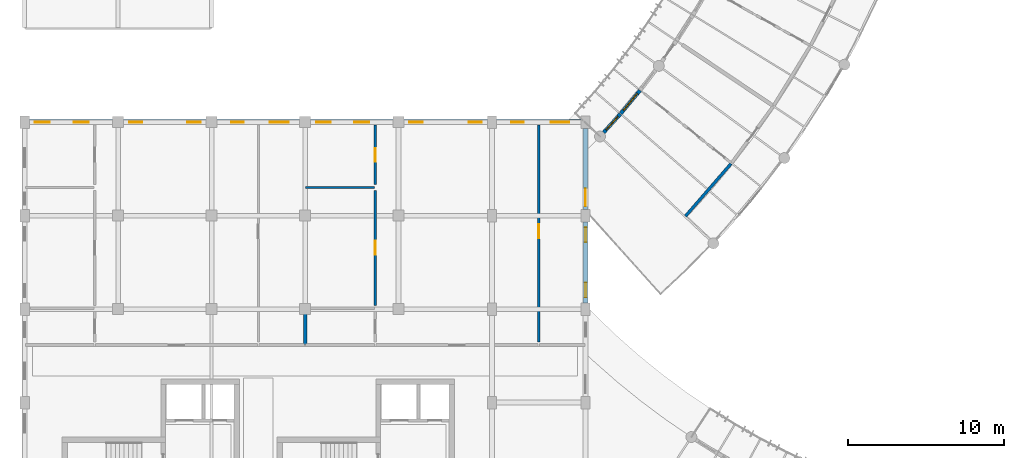
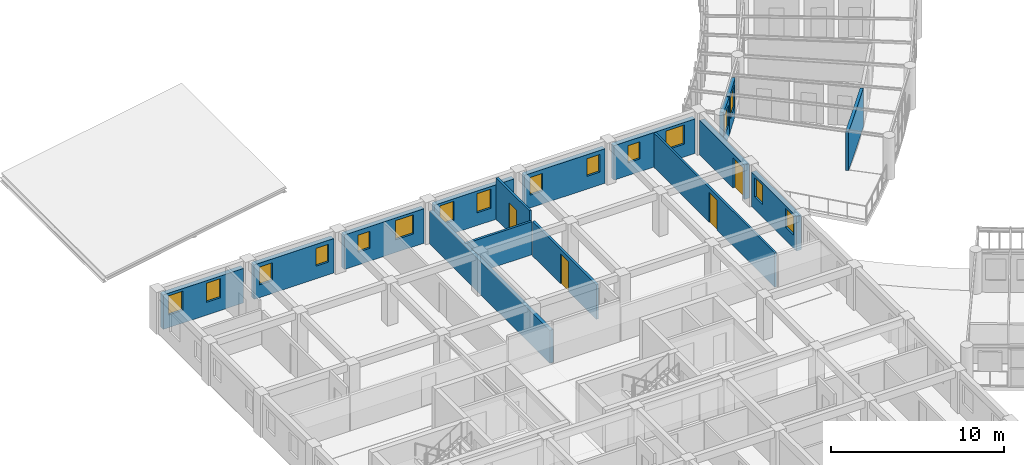
# One storey, part 91 of 137: 16 walls, 16 windows, 4 doors, 20 openings.
"""IFC4 building model written with IfcOpenShell, lengths in metres."""

from ifc_helpers import new_model, si_unit, direction, frame, frame_2d, origin, place, context, subcontext, project, spatial, rectangle, extrude, material, layer, layer_set, type_object, element, fill, save


model = new_model("IFC4")

# Units and contexts
model_context = context("Model", 3, precision=1e-05, world=origin(), true_north=direction((0.0, 1.0)))
body_context = subcontext(model_context, "Body", "Model", "MODEL_VIEW")
ifc_project = project(units=[si_unit("LENGTHUNIT", "METRE"), si_unit("AREAUNIT", "SQUARE_METRE"), si_unit("VOLUMEUNIT", "CUBIC_METRE"), si_unit("PLANEANGLEUNIT", "RADIAN"), si_unit("MASSUNIT", "GRAM", prefix="KILO"), si_unit("POWERUNIT", "WATT"), si_unit("THERMODYNAMICTEMPERATUREUNIT", "KELVIN")], contexts=[model_context])

# Site, building, storey
site_placement = place(None, origin())
site = spatial("IfcSite", under=ifc_project, at=site_placement, CompositionType="ELEMENT")
building_placement = place(site_placement, origin())
building = spatial("IfcBuilding", under=site, at=building_placement, Name="Ruvembo Vaulted Housing Court", CompositionType="ELEMENT")
storey_placement = place(building_placement, frame((0.0, 0.0, 4.5)))
storey = spatial("IfcBuildingStorey", under=building, at=storey_placement, Name="L01", CompositionType="ELEMENT", Elevation=4.5)

# Walls
ifc_material_1 = material(Name="Concrete Blockwork 190", Category="masonry")
ifc_layer_1 = layer(ifc_material_1, 0.18994140625, Name="Concrete Blockwork 190")
ifc_layer_set_1 = layer_set([ifc_layer_1], Name="Concrete Blockwork 190")
wall_type_1 = type_object("IfcWallType", Name="WL-CORR-190", PredefinedType="SOLIDWALL", material=ifc_layer_set_1)
wall_1_placement = place(storey_placement, frame((42.414794921875, 35.964111328125, 0.0), z_axis=(0.0, 0.0, 1.0), x_axis=(0.655477564809, 0.755214646331, 0.0)))
element("IfcWall", 1, at=wall_1_placement, inside=storey, type_object=wall_type_1, Name="L01 Suite SC1-L01-U1 Gallery Wall WL-INT-L01-00370", PredefinedType="SOLIDWALL", context=body_context, shape_type="SweptSolid", body=[
    extrude(rectangle(XDim=4.46728515625, YDim=0.18994140625, at=frame_2d((2.233642578125, 0.0))), origin(), (0.0, 0.0, 1.0), 2.741943359375),
])
ifc_material_2 = material(Name="Acoustic Masonry Demising 230", Category="masonry")
ifc_layer_2 = layer(ifc_material_2, 0.22998046875, Name="Acoustic Masonry Demising 230")
ifc_layer_set_2 = layer_set([ifc_layer_2], Name="Acoustic Masonry Demising 230")
wall_type_2 = type_object("IfcWallType", Name="WL-DEM-230", PredefinedType="SOLIDWALL", material=ifc_layer_set_2)
wall_2_placement = place(storey_placement, frame((18.0, 27.739990234375, 0.0), z_axis=(0.0, 0.0, 1.0), x_axis=(0.0, 1.0, 0.0)))
element("IfcWall", 2, at=wall_2_placement, inside=storey, type_object=wall_type_2, Name="L01 Demising A-L01-N1 WL-INT-L01-00207", PredefinedType="SOLIDWALL", context=body_context, shape_type="SweptSolid", body=[
    extrude(rectangle(XDim=13.8701171875, YDim=0.22998046875, at=frame_2d((6.93505859375, 0.0))), origin(), (0.0, 0.0, 1.0), 2.326904296875),
])

# Wall, opening, window
ifc_material_3 = material(Name="Rendered Masonry 235", Category="masonry")
ifc_layer_3 = layer(ifc_material_3, 0.235107421875, Name="Rendered Masonry 235")
ifc_layer_set_3 = layer_set([ifc_layer_3], Name="Rendered Masonry 235")
wall_type_3 = type_object("IfcWallType", Name="WL-EXT-235", PredefinedType="STANDARD", material=ifc_layer_set_3)
wall_3_placement = place(storey_placement, frame((37.165283203125, 41.337646484375, 0.0), z_axis=(0.0, 0.0, 1.0), x_axis=(0.670829255746, 0.741611832184, 0.0)))
wall_3 = element("IfcWall", 3, at=wall_3_placement, inside=storey, type_object=wall_type_3, Name="Scoop SC1 L01 Concave Balcony Wall 0", PredefinedType="STANDARD", context=body_context, shape_type="SweptSolid", body=[
    extrude(rectangle(XDim=1.596923828125, YDim=0.235107421875, at=frame_2d((0.79833984375, 0.0))), origin(), (0.0, 0.0, 1.0), 2.68408203125),
])
opening_1_placement = place(wall_3_placement, frame((0.223388671875, 0.0, 0.85009765625)))
opening_1 = element("IfcOpeningElement", 4, at=opening_1_placement, cuts=wall_3, Name="Opening W11", PredefinedType="OPENING", context=body_context, shape_type="SweptSolid", body=[
    extrude(rectangle(XDim=1.14990234375, YDim=1.449951171875, at=frame_2d((0.574951171875, 0.72509765625))), frame((0.0, 0.12744140625, 0.0), z_axis=(0.0, -1.0, 0.0), x_axis=(1.0, 0.0, 0.0)), (0.0, 0.0, 1.0), 0.255126953125),
])
ifc_material_4 = material(Name="Double Solar-Control Glazing in Aluminium Frame", Category="aluminium")
window_type_1 = type_object("IfcWindowType", Name="WIN-1150x1450", PartitioningType="SINGLE_PANEL", PredefinedType="WINDOW", material=ifc_material_4)
window_1_placement = place(opening_1_placement, origin())
window_1 = element("IfcWindow", 5, at=window_1_placement, inside=storey, type_object=window_type_1, Name="Scoop SC1 L01 Concave Window 0", OverallHeight=1.449951171875, OverallWidth=1.14990234375, PartitioningType="SINGLE_PANEL", PredefinedType="WINDOW", context=body_context, shape_type="SweptSolid", body=[
    extrude(rectangle(XDim=1.14990234375, YDim=1.449951171875, at=frame_2d((0.574951171875, 0.72509765625))), frame((0.0, 0.030029296875, 0.0), z_axis=(0.0, -1.0, 0.0), x_axis=(1.0, 0.0, 0.0)), (0.0, 0.0, 1.0), 0.06005859375),
])
fill(opening_1, window_1)

wall_4_placement = place(storey_placement, frame((38.2626953125, 42.552001953125, 0.0), z_axis=(0.0, 0.0, 1.0), x_axis=(0.639872771242, 0.768480862887, 0.0)))
wall_4 = element("IfcWall", 6, at=wall_4_placement, inside=storey, type_object=wall_type_3, Name="Scoop SC1 L01 Concave Balcony Wall 1", PredefinedType="STANDARD", context=body_context, shape_type="SweptSolid", body=[
    extrude(rectangle(XDim=1.9267578125, YDim=0.235107421875, at=frame_2d((0.96337890625, 0.0))), origin(), (0.0, 0.0, 1.0), 2.68408203125),
])
opening_2_placement = place(wall_4_placement, frame((0.263427734375, 0.0, 0.85009765625)))
opening_2 = element("IfcOpeningElement", 7, at=opening_2_placement, cuts=wall_4, Name="Opening W17", PredefinedType="OPENING", context=body_context, shape_type="SweptSolid", body=[
    extrude(rectangle(XDim=1.39990234375, YDim=1.5, at=frame_2d((0.699951171875, 0.75))), frame((0.0, 0.12744140625, 0.0), z_axis=(0.0, -1.0, 0.0), x_axis=(1.0, 0.0, 0.0)), (0.0, 0.0, 1.0), 0.255126953125),
])
window_type_2 = type_object("IfcWindowType", Name="WIN-1400x1500", PartitioningType="SINGLE_PANEL", PredefinedType="WINDOW", material=ifc_material_4)
window_2_placement = place(opening_2_placement, origin())
window_2 = element("IfcWindow", 8, at=window_2_placement, inside=storey, type_object=window_type_2, Name="Scoop SC1 L01 Concave Window 1", OverallHeight=1.5, OverallWidth=1.39990234375, PartitioningType="SINGLE_PANEL", PredefinedType="WINDOW", context=body_context, shape_type="SweptSolid", body=[
    extrude(rectangle(XDim=1.39990234375, YDim=1.5, at=frame_2d((0.699951171875, 0.75))), frame((0.0, 0.030029296875, 0.0), z_axis=(0.0, -1.0, 0.0), x_axis=(1.0, 0.0, 0.0)), (0.0, 0.0, 1.0), 0.06005859375),
])
fill(opening_2, window_2)

# Wall, openings, windows
ifc_material_5 = material(Name="Rendered Masonry 320", Category="masonry")
ifc_layer_4 = layer(ifc_material_5, 0.320068359375, Name="Rendered Masonry 320")
ifc_layer_set_4 = layer_set([ifc_layer_4], Name="Rendered Masonry 320")
wall_type_4 = type_object("IfcWallType", Name="WL-EXT-320", PredefinedType="STANDARD", material=ifc_layer_set_4)
wall_5_placement = place(storey_placement, frame((36.0, 30.39990234375, 0.0), z_axis=(0.0, 0.0, 1.0), x_axis=(0.0, 1.0, 0.0)))
wall_5 = element("IfcWall", 9, at=wall_5_placement, inside=storey, type_object=wall_type_4, Name="Block A L01 Exterior Wall EAST #5", PredefinedType="STANDARD", context=body_context, shape_type="SweptSolid", body=[
    extrude(rectangle(XDim=5.2001953125, YDim=0.320068359375, at=frame_2d((2.60009765625, 0.0))), origin(), (0.0, 0.0, 1.0), 2.427001953125),
])
opening_3_placement = place(wall_5_placement, frame((0.35009765625, 0.0, 0.89990234375)))
opening_3 = element("IfcOpeningElement", 10, at=opening_3_placement, cuts=wall_5, Name="Opening W07", PredefinedType="OPENING", context=body_context, shape_type="SweptSolid", body=[
    extrude(rectangle(XDim=0.949951171875, YDim=1.35009765625, at=frame_2d((0.47509765625, 0.675048828125))), frame((0.0, 0.169921875, 0.0), z_axis=(0.0, -1.0, 0.0), x_axis=(1.0, 0.0, 0.0)), (0.0, 0.0, 1.0), 0.340087890625),
])
opening_4_placement = place(wall_5_placement, frame((3.89990234375, 0.0, 0.89990234375)))
opening_4 = element("IfcOpeningElement", 11, at=opening_4_placement, cuts=wall_5, Name="Opening W07", PredefinedType="OPENING", context=body_context, shape_type="SweptSolid", body=[
    extrude(rectangle(XDim=0.949951171875, YDim=1.35009765625, at=frame_2d((0.47509765625, 0.675048828125))), frame((0.0, 0.169921875, 0.0), z_axis=(0.0, -1.0, 0.0), x_axis=(1.0, 0.0, 0.0)), (0.0, 0.0, 1.0), 0.340087890625),
])
window_type_3 = type_object("IfcWindowType", Name="WIN-0950x1350", PartitioningType="SINGLE_PANEL", PredefinedType="WINDOW", material=ifc_material_4)
window_3_placement = place(opening_3_placement, origin())
window_3 = element("IfcWindow", 12, at=window_3_placement, inside=storey, type_object=window_type_3, Name="Block A L01 Window #57", OverallHeight=1.35009765625, OverallWidth=0.949951171875, PartitioningType="SINGLE_PANEL", PredefinedType="WINDOW", context=body_context, shape_type="SweptSolid", body=[
    extrude(rectangle(XDim=0.949951171875, YDim=1.35009765625, at=frame_2d((0.47509765625, 0.675048828125))), frame((0.0, 0.030029296875, 0.0), z_axis=(0.0, -1.0, 0.0), x_axis=(1.0, 0.0, 0.0)), (0.0, 0.0, 1.0), 0.06005859375),
])
fill(opening_3, window_3)
window_4_placement = place(opening_4_placement, origin())
window_4 = element("IfcWindow", 13, at=window_4_placement, inside=storey, type_object=window_type_3, Name="Block A L01 Window #58", OverallHeight=1.35009765625, OverallWidth=0.949951171875, PartitioningType="SINGLE_PANEL", PredefinedType="WINDOW", context=body_context, shape_type="SweptSolid", body=[
    extrude(rectangle(XDim=0.949951171875, YDim=1.35009765625, at=frame_2d((0.47509765625, 0.675048828125))), frame((0.0, 0.030029296875, 0.0), z_axis=(0.0, -1.0, 0.0), x_axis=(1.0, 0.0, 0.0)), (0.0, 0.0, 1.0), 0.06005859375),
])
fill(opening_4, window_4)

# Wall, opening, door
wall_6_placement = place(storey_placement, frame((36.0, 36.39990234375, 0.0), z_axis=(0.0, 0.0, 1.0), x_axis=(0.0, 1.0, 0.0)))
wall_6 = element("IfcWall", 14, at=wall_6_placement, inside=storey, type_object=wall_type_4, Name="Block A L01 Exterior Wall EAST #6", PredefinedType="STANDARD", context=body_context, shape_type="SweptSolid", body=[
    extrude(rectangle(XDim=5.2001953125, YDim=0.320068359375, at=frame_2d((2.60009765625, 0.0))), origin(), (0.0, 0.0, 1.0), 2.427001953125),
])
opening_5_placement = place(wall_6_placement, frame((0.199951171875, 0.0, 0.0)))
opening_5 = element("IfcOpeningElement", 15, at=opening_5_placement, cuts=wall_6, Name="Opening GD1", PredefinedType="OPENING", context=body_context, shape_type="SweptSolid", body=[
    extrude(rectangle(XDim=1.14990234375, YDim=2.14990234375, at=frame_2d((0.574951171875, 1.074951171875))), frame((0.0, 0.169921875, 0.0), z_axis=(0.0, -1.0, 0.0), x_axis=(1.0, 0.0, 0.0)), (0.0, 0.0, 1.0), 0.340087890625),
])
ifc_material_6 = material(Name="Thermally Broken Glazed Aluminium", Category="aluminium")
door_type_1 = type_object("IfcDoorType", Name="DR-GAL-1150x2150", OperationType="NOTDEFINED", PredefinedType="DOOR", material=ifc_material_6)
door_1_placement = place(opening_5_placement, frame((1.14990234375, 0.0, 0.0), z_axis=(0.0, 0.0, 1.0), x_axis=(-1.0, 0.0, 0.0)))
door_1 = element("IfcDoor", 16, at=door_1_placement, inside=storey, type_object=door_type_1, Name="Block A L01 Terrace or Gallery Door DR-TER-A-L01-006", OperationType="SINGLE_SWING_LEFT", OverallHeight=2.14990234375, OverallWidth=1.14990234375, PredefinedType="DOOR", context=body_context, shape_type="SweptSolid", body=[
    extrude(rectangle(XDim=1.14990234375, YDim=2.14990234375, at=frame_2d((0.574951171875, 1.074951171875))), frame((0.0, 0.02490234375, 0.0), z_axis=(0.0, -1.0, 0.0), x_axis=(1.0, 0.0, 0.0)), (0.0, 0.0, 1.0), 0.050048828125),
])
fill(opening_5, door_1)

# Wall, openings, windows
wall_7_placement = place(storey_placement, frame((35.699951171875, 42.0, 0.0), z_axis=(0.0, 0.0, 1.0), x_axis=(-1.0, 0.0, 0.0)))
wall_7 = element("IfcWall", 17, at=wall_7_placement, inside=storey, type_object=wall_type_4, Name="Block A L01 Exterior Wall COURTYARD #1", PredefinedType="STANDARD", context=body_context, shape_type="SweptSolid", body=[
    extrude(rectangle(XDim=5.39990234375, YDim=0.320068359375, at=frame_2d((2.699951171875, 0.0))), origin(), (0.0, 0.0, 1.0), 2.427001953125),
])
opening_6_placement = place(wall_7_placement, frame((0.72998046875, 0.0, 0.89990234375)))
opening_6 = element("IfcOpeningElement", 18, at=opening_6_placement, cuts=wall_7, Name="Opening W12", PredefinedType="OPENING", context=body_context, shape_type="SweptSolid", body=[
    extrude(rectangle(XDim=1.199951171875, YDim=1.35009765625, at=frame_2d((0.60009765625, 0.675048828125))), frame((0.0, 0.169921875, 0.0), z_axis=(0.0, -1.0, 0.0), x_axis=(1.0, 0.0, 0.0)), (0.0, 0.0, 1.0), 0.340087890625),
])
opening_7_placement = place(wall_7_placement, frame((3.669921875, 0.0, 0.89990234375)))
opening_7 = element("IfcOpeningElement", 19, at=opening_7_placement, cuts=wall_7, Name="Opening W02", PredefinedType="OPENING", context=body_context, shape_type="SweptSolid", body=[
    extrude(rectangle(XDim=0.800048828125, YDim=1.199951171875, at=frame_2d((0.39990234375, 0.60009765625))), frame((0.0, 0.169921875, 0.0), z_axis=(0.0, -1.0, 0.0), x_axis=(1.0, 0.0, 0.0)), (0.0, 0.0, 1.0), 0.340087890625),
])
window_type_4 = type_object("IfcWindowType", Name="WIN-0800x1200", PartitioningType="SINGLE_PANEL", PredefinedType="WINDOW", material=ifc_material_4)
window_5_placement = place(opening_7_placement, origin())
window_5 = element("IfcWindow", 20, at=window_5_placement, inside=storey, type_object=window_type_4, Name="Block A L01 Window #60", OverallHeight=1.199951171875, OverallWidth=0.800048828125, PartitioningType="SINGLE_PANEL", PredefinedType="WINDOW", context=body_context, shape_type="SweptSolid", body=[
    extrude(rectangle(XDim=0.800048828125, YDim=1.199951171875, at=frame_2d((0.39990234375, 0.60009765625))), frame((0.0, 0.030029296875, 0.0), z_axis=(0.0, -1.0, 0.0), x_axis=(1.0, 0.0, 0.0)), (0.0, 0.0, 1.0), 0.06005859375),
])
fill(opening_7, window_5)
window_type_5 = type_object("IfcWindowType", Name="WIN-1200x1350", PartitioningType="SINGLE_PANEL", PredefinedType="WINDOW", material=ifc_material_4)
window_6_placement = place(opening_6_placement, origin())
window_6 = element("IfcWindow", 21, at=window_6_placement, inside=storey, type_object=window_type_5, Name="Block A L01 Window #59", OverallHeight=1.35009765625, OverallWidth=1.199951171875, PartitioningType="SINGLE_PANEL", PredefinedType="WINDOW", context=body_context, shape_type="SweptSolid", body=[
    extrude(rectangle(XDim=1.199951171875, YDim=1.35009765625, at=frame_2d((0.60009765625, 0.675048828125))), frame((0.0, 0.030029296875, 0.0), z_axis=(0.0, -1.0, 0.0), x_axis=(1.0, 0.0, 0.0)), (0.0, 0.0, 1.0), 0.06005859375),
])
fill(opening_6, window_6)

wall_8_placement = place(storey_placement, frame((29.699951171875, 42.0, 0.0), z_axis=(0.0, 0.0, 1.0), x_axis=(-1.0, 0.0, 0.0)))
wall_8 = element("IfcWall", 22, at=wall_8_placement, inside=storey, type_object=wall_type_4, Name="Block A L01 Exterior Wall COURTYARD #2", PredefinedType="STANDARD", context=body_context, shape_type="SweptSolid", body=[
    extrude(rectangle(XDim=5.349853515625, YDim=0.320068359375, at=frame_2d((2.6748046875, 0.0))), origin(), (0.0, 0.0, 1.0), 2.427001953125),
])
opening_8_placement = place(wall_8_placement, frame((0.35009765625, 0.0, 0.89990234375)))
opening_8 = element("IfcOpeningElement", 23, at=opening_8_placement, cuts=wall_8, Name="Opening W03", PredefinedType="OPENING", context=body_context, shape_type="SweptSolid", body=[
    extrude(rectangle(XDim=0.85009765625, YDim=1.25, at=frame_2d((0.425048828125, 0.625))), frame((0.0, 0.169921875, 0.0), z_axis=(0.0, -1.0, 0.0), x_axis=(1.0, 0.0, 0.0)), (0.0, 0.0, 1.0), 0.340087890625),
])
opening_9_placement = place(wall_8_placement, frame((4.14990234375, 0.0, 0.89990234375)))
opening_9 = element("IfcOpeningElement", 24, at=opening_9_placement, cuts=wall_8, Name="Opening W03", PredefinedType="OPENING", context=body_context, shape_type="SweptSolid", body=[
    extrude(rectangle(XDim=0.85009765625, YDim=1.25, at=frame_2d((0.425048828125, 0.625))), frame((0.0, 0.169921875, 0.0), z_axis=(0.0, -1.0, 0.0), x_axis=(1.0, 0.0, 0.0)), (0.0, 0.0, 1.0), 0.340087890625),
])
window_type_6 = type_object("IfcWindowType", Name="WIN-0850x1250", PartitioningType="SINGLE_PANEL", PredefinedType="WINDOW", material=ifc_material_4)
window_7_placement = place(opening_8_placement, origin())
window_7 = element("IfcWindow", 25, at=window_7_placement, inside=storey, type_object=window_type_6, Name="Block A L01 Window #61", OverallHeight=1.25, OverallWidth=0.85009765625, PartitioningType="SINGLE_PANEL", PredefinedType="WINDOW", context=body_context, shape_type="SweptSolid", body=[
    extrude(rectangle(XDim=0.85009765625, YDim=1.25, at=frame_2d((0.425048828125, 0.625))), frame((0.0, 0.030029296875, 0.0), z_axis=(0.0, -1.0, 0.0), x_axis=(1.0, 0.0, 0.0)), (0.0, 0.0, 1.0), 0.06005859375),
])
fill(opening_8, window_7)
window_8_placement = place(opening_9_placement, origin())
window_8 = element("IfcWindow", 26, at=window_8_placement, inside=storey, type_object=window_type_6, Name="Block A L01 Window #62", OverallHeight=1.25, OverallWidth=0.85009765625, PartitioningType="SINGLE_PANEL", PredefinedType="WINDOW", context=body_context, shape_type="SweptSolid", body=[
    extrude(rectangle(XDim=0.85009765625, YDim=1.25, at=frame_2d((0.425048828125, 0.625))), frame((0.0, 0.030029296875, 0.0), z_axis=(0.0, -1.0, 0.0), x_axis=(1.0, 0.0, 0.0)), (0.0, 0.0, 1.0), 0.06005859375),
])
fill(opening_9, window_8)

wall_9_placement = place(storey_placement, frame((23.64990234375, 42.0, 0.0), z_axis=(0.0, 0.0, 1.0), x_axis=(-1.0, 0.0, 0.0)))
wall_9 = element("IfcWall", 27, at=wall_9_placement, inside=storey, type_object=wall_type_4, Name="Block A L01 Exterior Wall COURTYARD #3", PredefinedType="STANDARD", context=body_context, shape_type="SweptSolid", body=[
    extrude(rectangle(XDim=5.2998046875, YDim=0.320068359375, at=frame_2d((2.64990234375, 0.0))), origin(), (0.0, 0.0, 1.0), 2.427001953125),
])
opening_10_placement = place(wall_9_placement, frame((1.5400390625, 0.0, 0.89990234375)))
opening_10 = element("IfcOpeningElement", 28, at=opening_10_placement, cuts=wall_9, Name="Opening W07", PredefinedType="OPENING", context=body_context, shape_type="SweptSolid", body=[
    extrude(rectangle(XDim=0.949951171875, YDim=1.35009765625, at=frame_2d((0.47509765625, 0.675048828125))), frame((0.0, 0.169921875, 0.0), z_axis=(0.0, -1.0, 0.0), x_axis=(1.0, 0.0, 0.0)), (0.0, 0.0, 1.0), 0.340087890625),
])
opening_11_placement = place(wall_9_placement, frame((4.0, 0.0, 0.89990234375)))
opening_11 = element("IfcOpeningElement", 29, at=opening_11_placement, cuts=wall_9, Name="Opening W07", PredefinedType="OPENING", context=body_context, shape_type="SweptSolid", body=[
    extrude(rectangle(XDim=0.949951171875, YDim=1.35009765625, at=frame_2d((0.47509765625, 0.675048828125))), frame((0.0, 0.169921875, 0.0), z_axis=(0.0, -1.0, 0.0), x_axis=(1.0, 0.0, 0.0)), (0.0, 0.0, 1.0), 0.340087890625),
])
window_9_placement = place(opening_10_placement, origin())
window_9 = element("IfcWindow", 30, at=window_9_placement, inside=storey, type_object=window_type_3, Name="Block A L01 Window #63", OverallHeight=1.35009765625, OverallWidth=0.949951171875, PartitioningType="SINGLE_PANEL", PredefinedType="WINDOW", context=body_context, shape_type="SweptSolid", body=[
    extrude(rectangle(XDim=0.949951171875, YDim=1.35009765625, at=frame_2d((0.47509765625, 0.675048828125))), frame((0.0, 0.030029296875, 0.0), z_axis=(0.0, -1.0, 0.0), x_axis=(1.0, 0.0, 0.0)), (0.0, 0.0, 1.0), 0.06005859375),
])
fill(opening_10, window_9)
window_10_placement = place(opening_11_placement, origin())
window_10 = element("IfcWindow", 31, at=window_10_placement, inside=storey, type_object=window_type_3, Name="Block A L01 Window #64", OverallHeight=1.35009765625, OverallWidth=0.949951171875, PartitioningType="SINGLE_PANEL", PredefinedType="WINDOW", context=body_context, shape_type="SweptSolid", body=[
    extrude(rectangle(XDim=0.949951171875, YDim=1.35009765625, at=frame_2d((0.47509765625, 0.675048828125))), frame((0.0, 0.030029296875, 0.0), z_axis=(0.0, -1.0, 0.0), x_axis=(1.0, 0.0, 0.0)), (0.0, 0.0, 1.0), 0.06005859375),
])
fill(opening_11, window_10)

wall_10_placement = place(storey_placement, frame((17.64990234375, 42.0, 0.0), z_axis=(0.0, 0.0, 1.0), x_axis=(-1.0, 0.0, 0.0)))
wall_10 = element("IfcWall", 32, at=wall_10_placement, inside=storey, type_object=wall_type_4, Name="Block A L01 Exterior Wall COURTYARD #4", PredefinedType="STANDARD", context=body_context, shape_type="SweptSolid", body=[
    extrude(rectangle(XDim=5.2998046875, YDim=0.320068359375, at=frame_2d((2.64990234375, 0.0))), origin(), (0.0, 0.0, 1.0), 2.427001953125),
])
opening_12_placement = place(wall_10_placement, frame((0.705078125, 0.0, 0.89990234375)))
opening_12 = element("IfcOpeningElement", 33, at=opening_12_placement, cuts=wall_10, Name="Opening W12", PredefinedType="OPENING", context=body_context, shape_type="SweptSolid", body=[
    extrude(rectangle(XDim=1.199951171875, YDim=1.35009765625, at=frame_2d((0.60009765625, 0.675048828125))), frame((0.0, 0.169921875, 0.0), z_axis=(0.0, -1.0, 0.0), x_axis=(1.0, 0.0, 0.0)), (0.0, 0.0, 1.0), 0.340087890625),
])
opening_13_placement = place(wall_10_placement, frame((3.594970703125, 0.0, 0.89990234375)))
opening_13 = element("IfcOpeningElement", 34, at=opening_13_placement, cuts=wall_10, Name="Opening W02", PredefinedType="OPENING", context=body_context, shape_type="SweptSolid", body=[
    extrude(rectangle(XDim=0.800048828125, YDim=1.199951171875, at=frame_2d((0.39990234375, 0.60009765625))), frame((0.0, 0.169921875, 0.0), z_axis=(0.0, -1.0, 0.0), x_axis=(1.0, 0.0, 0.0)), (0.0, 0.0, 1.0), 0.340087890625),
])
window_11_placement = place(opening_13_placement, origin())
window_11 = element("IfcWindow", 35, at=window_11_placement, inside=storey, type_object=window_type_4, Name="Block A L01 Window #66", OverallHeight=1.199951171875, OverallWidth=0.800048828125, PartitioningType="SINGLE_PANEL", PredefinedType="WINDOW", context=body_context, shape_type="SweptSolid", body=[
    extrude(rectangle(XDim=0.800048828125, YDim=1.199951171875, at=frame_2d((0.39990234375, 0.60009765625))), frame((0.0, 0.030029296875, 0.0), z_axis=(0.0, -1.0, 0.0), x_axis=(1.0, 0.0, 0.0)), (0.0, 0.0, 1.0), 0.06005859375),
])
fill(opening_13, window_11)
window_12_placement = place(opening_12_placement, origin())
window_12 = element("IfcWindow", 36, at=window_12_placement, inside=storey, type_object=window_type_5, Name="Block A L01 Window #65", OverallHeight=1.35009765625, OverallWidth=1.199951171875, PartitioningType="SINGLE_PANEL", PredefinedType="WINDOW", context=body_context, shape_type="SweptSolid", body=[
    extrude(rectangle(XDim=1.199951171875, YDim=1.35009765625, at=frame_2d((0.60009765625, 0.675048828125))), frame((0.0, 0.030029296875, 0.0), z_axis=(0.0, -1.0, 0.0), x_axis=(1.0, 0.0, 0.0)), (0.0, 0.0, 1.0), 0.06005859375),
])
fill(opening_12, window_12)

wall_11_placement = place(storey_placement, frame((11.64990234375, 42.0, 0.0), z_axis=(0.0, 0.0, 1.0), x_axis=(-1.0, 0.0, 0.0)))
wall_11 = element("IfcWall", 37, at=wall_11_placement, inside=storey, type_object=wall_type_4, Name="Block A L01 Exterior Wall COURTYARD #5", PredefinedType="STANDARD", context=body_context, shape_type="SweptSolid", body=[
    extrude(rectangle(XDim=5.2998046875, YDim=0.320068359375, at=frame_2d((2.64990234375, 0.0))), origin(), (0.0, 0.0, 1.0), 2.427001953125),
])
opening_14_placement = place(wall_11_placement, frame((0.35009765625, 0.0, 0.89990234375)))
opening_14 = element("IfcOpeningElement", 38, at=opening_14_placement, cuts=wall_11, Name="Opening W03", PredefinedType="OPENING", context=body_context, shape_type="SweptSolid", body=[
    extrude(rectangle(XDim=0.85009765625, YDim=1.25, at=frame_2d((0.425048828125, 0.625))), frame((0.0, 0.169921875, 0.0), z_axis=(0.0, -1.0, 0.0), x_axis=(1.0, 0.0, 0.0)), (0.0, 0.0, 1.0), 0.340087890625),
])
opening_15_placement = place(wall_11_placement, frame((4.10009765625, 0.0, 0.89990234375)))
opening_15 = element("IfcOpeningElement", 39, at=opening_15_placement, cuts=wall_11, Name="Opening W03", PredefinedType="OPENING", context=body_context, shape_type="SweptSolid", body=[
    extrude(rectangle(XDim=0.85009765625, YDim=1.25, at=frame_2d((0.425048828125, 0.625))), frame((0.0, 0.169921875, 0.0), z_axis=(0.0, -1.0, 0.0), x_axis=(1.0, 0.0, 0.0)), (0.0, 0.0, 1.0), 0.340087890625),
])
window_13_placement = place(opening_14_placement, origin())
window_13 = element("IfcWindow", 40, at=window_13_placement, inside=storey, type_object=window_type_6, Name="Block A L01 Window #67", OverallHeight=1.25, OverallWidth=0.85009765625, PartitioningType="SINGLE_PANEL", PredefinedType="WINDOW", context=body_context, shape_type="SweptSolid", body=[
    extrude(rectangle(XDim=0.85009765625, YDim=1.25, at=frame_2d((0.425048828125, 0.625))), frame((0.0, 0.030029296875, 0.0), z_axis=(0.0, -1.0, 0.0), x_axis=(1.0, 0.0, 0.0)), (0.0, 0.0, 1.0), 0.06005859375),
])
fill(opening_14, window_13)
window_14_placement = place(opening_15_placement, origin())
window_14 = element("IfcWindow", 41, at=window_14_placement, inside=storey, type_object=window_type_6, Name="Block A L01 Window #68", OverallHeight=1.25, OverallWidth=0.85009765625, PartitioningType="SINGLE_PANEL", PredefinedType="WINDOW", context=body_context, shape_type="SweptSolid", body=[
    extrude(rectangle(XDim=0.85009765625, YDim=1.25, at=frame_2d((0.425048828125, 0.625))), frame((0.0, 0.030029296875, 0.0), z_axis=(0.0, -1.0, 0.0), x_axis=(1.0, 0.0, 0.0)), (0.0, 0.0, 1.0), 0.06005859375),
])
fill(opening_15, window_14)

wall_12_placement = place(storey_placement, frame((5.64990234375, 42.0, 0.0), z_axis=(0.0, 0.0, 1.0), x_axis=(-1.0, 0.0, 0.0)))
wall_12 = element("IfcWall", 42, at=wall_12_placement, inside=storey, type_object=wall_type_4, Name="Block A L01 Exterior Wall COURTYARD #6", PredefinedType="STANDARD", context=body_context, shape_type="SweptSolid", body=[
    extrude(rectangle(XDim=5.349853515625, YDim=0.320068359375, at=frame_2d((2.6748046875, 0.0))), origin(), (0.0, 0.0, 1.0), 2.427001953125),
])
opening_16_placement = place(wall_12_placement, frame((1.5400390625, 0.0, 0.89990234375)))
opening_16 = element("IfcOpeningElement", 43, at=opening_16_placement, cuts=wall_12, Name="Opening W07", PredefinedType="OPENING", context=body_context, shape_type="SweptSolid", body=[
    extrude(rectangle(XDim=0.949951171875, YDim=1.35009765625, at=frame_2d((0.47509765625, 0.675048828125))), frame((0.0, 0.169921875, 0.0), z_axis=(0.0, -1.0, 0.0), x_axis=(1.0, 0.0, 0.0)), (0.0, 0.0, 1.0), 0.340087890625),
])
opening_17_placement = place(wall_12_placement, frame((4.050048828125, 0.0, 0.89990234375)))
opening_17 = element("IfcOpeningElement", 44, at=opening_17_placement, cuts=wall_12, Name="Opening W07", PredefinedType="OPENING", context=body_context, shape_type="SweptSolid", body=[
    extrude(rectangle(XDim=0.949951171875, YDim=1.35009765625, at=frame_2d((0.47509765625, 0.675048828125))), frame((0.0, 0.169921875, 0.0), z_axis=(0.0, -1.0, 0.0), x_axis=(1.0, 0.0, 0.0)), (0.0, 0.0, 1.0), 0.340087890625),
])
window_15_placement = place(opening_16_placement, origin())
window_15 = element("IfcWindow", 45, at=window_15_placement, inside=storey, type_object=window_type_3, Name="Block A L01 Window #69", OverallHeight=1.35009765625, OverallWidth=0.949951171875, PartitioningType="SINGLE_PANEL", PredefinedType="WINDOW", context=body_context, shape_type="SweptSolid", body=[
    extrude(rectangle(XDim=0.949951171875, YDim=1.35009765625, at=frame_2d((0.47509765625, 0.675048828125))), frame((0.0, 0.030029296875, 0.0), z_axis=(0.0, -1.0, 0.0), x_axis=(1.0, 0.0, 0.0)), (0.0, 0.0, 1.0), 0.06005859375),
])
fill(opening_16, window_15)
window_16_placement = place(opening_17_placement, origin())
window_16 = element("IfcWindow", 46, at=window_16_placement, inside=storey, type_object=window_type_3, Name="Block A L01 Window #70", OverallHeight=1.35009765625, OverallWidth=0.949951171875, PartitioningType="SINGLE_PANEL", PredefinedType="WINDOW", context=body_context, shape_type="SweptSolid", body=[
    extrude(rectangle(XDim=0.949951171875, YDim=1.35009765625, at=frame_2d((0.47509765625, 0.675048828125))), frame((0.0, 0.030029296875, 0.0), z_axis=(0.0, -1.0, 0.0), x_axis=(1.0, 0.0, 0.0)), (0.0, 0.0, 1.0), 0.06005859375),
])
fill(opening_17, window_16)

# Wall, opening, door
ifc_material_7 = material(Name="Acoustic Stud Partition 135", Category="gypsum")
ifc_layer_5 = layer(ifc_material_7, 0.135009765625, Name="Acoustic Stud Partition 135")
ifc_layer_set_5 = layer_set([ifc_layer_5], Name="Acoustic Stud Partition 135")
wall_type_5 = type_object("IfcWallType", Name="WL-PART-135", PredefinedType="PARTITIONING", material=ifc_layer_set_5)
wall_13_placement = place(storey_placement, frame((22.5, 37.989990234375, 0.0), z_axis=(0.0, 0.0, 1.0), x_axis=(0.0, 1.0, 0.0)))
wall_13 = element("IfcWall", 47, at=wall_13_placement, inside=storey, type_object=wall_type_5, Name="L01 Flat A-L01-N2 Bedroom 1 WL-INT-L01-00219", PredefinedType="PARTITIONING", context=body_context, shape_type="SweptSolid", body=[
    extrude(rectangle(XDim=3.820068359375, YDim=0.135009765625, at=frame_2d((1.91015625, 0.0))), origin(), (0.0, 0.0, 1.0), 2.945068359375),
])
opening_18_placement = place(wall_13_placement, frame((1.469970703125, 0.0, 0.0)))
opening_18 = element("IfcOpeningElement", 48, at=opening_18_placement, cuts=wall_13, Name="Opening ID3", PredefinedType="OPENING", context=body_context, shape_type="SweptSolid", body=[
    extrude(rectangle(XDim=0.8798828125, YDim=2.10009765625, at=frame_2d((0.43994140625, 1.050048828125))), frame((0.0, 0.077392578125, 0.0), z_axis=(0.0, -1.0, 0.0), x_axis=(1.0, 0.0, 0.0)), (0.0, 0.0, 1.0), 0.155029296875),
])
ifc_material_8 = material(Name="FSC Hardwood and Engineered Timber", Category="wood")
door_type_2 = type_object("IfcDoorType", Name="DR-ROOM-0880x2100", OperationType="NOTDEFINED", PredefinedType="DOOR", material=ifc_material_8)
door_2_placement = place(opening_18_placement, origin())
door_2 = element("IfcDoor", 49, at=door_2_placement, inside=storey, type_object=door_type_2, Name="L01 Flat A-L01-N2 Bedroom 1 Door DR-INT-L01-00109", OperationType="SINGLE_SWING_LEFT", OverallHeight=2.10009765625, OverallWidth=0.8798828125, PredefinedType="DOOR", context=body_context, shape_type="SweptSolid", body=[
    extrude(rectangle(XDim=0.8798828125, YDim=2.10009765625, at=frame_2d((0.43994140625, 1.050048828125))), frame((0.0, 0.02490234375, 0.0), z_axis=(0.0, -1.0, 0.0), x_axis=(1.0, 0.0, 0.0)), (0.0, 0.0, 1.0), 0.050048828125),
])
fill(opening_18, door_2)

wall_14_placement = place(storey_placement, frame((33.0, 27.889892578125, 0.0), z_axis=(0.0, 0.0, 1.0), x_axis=(0.0, 1.0, 0.0)))
wall_14 = element("IfcWall", 50, at=wall_14_placement, inside=storey, type_object=wall_type_5, Name="L01 Flat A-L01-N2 Bedroom 2 WL-INT-L01-00225", PredefinedType="PARTITIONING", context=body_context, shape_type="SweptSolid", body=[
    extrude(rectangle(XDim=13.920166015625, YDim=0.135009765625, at=frame_2d((6.9599609375, 0.0))), origin(), (0.0, 0.0, 1.0), 2.427001953125),
])
opening_19_placement = place(wall_14_placement, frame((6.64990234375, 0.0, 0.0)))
opening_19 = element("IfcOpeningElement", 51, at=opening_19_placement, cuts=wall_14, Name="Opening ID1", PredefinedType="OPENING", context=body_context, shape_type="SweptSolid", body=[
    extrude(rectangle(XDim=0.89990234375, YDim=2.10009765625, at=frame_2d((0.449951171875, 1.050048828125))), frame((0.0, 0.077392578125, 0.0), z_axis=(0.0, -1.0, 0.0), x_axis=(1.0, 0.0, 0.0)), (0.0, 0.0, 1.0), 0.155029296875),
])
door_type_3 = type_object("IfcDoorType", Name="DR-ROOM-0900x2100", OperationType="NOTDEFINED", PredefinedType="DOOR", material=ifc_material_8)
door_3_placement = place(opening_19_placement, origin())
door_3 = element("IfcDoor", 52, at=door_3_placement, inside=storey, type_object=door_type_3, Name="L01 Flat A-L01-N2 Bedroom 2 Door DR-INT-L01-00112", OperationType="SINGLE_SWING_RIGHT", OverallHeight=2.10009765625, OverallWidth=0.89990234375, PredefinedType="DOOR", context=body_context, shape_type="SweptSolid", body=[
    extrude(rectangle(XDim=0.89990234375, YDim=2.10009765625, at=frame_2d((0.449951171875, 1.050048828125))), frame((0.0, 0.02490234375, 0.0), z_axis=(0.0, -1.0, 0.0), x_axis=(1.0, 0.0, 0.0)), (0.0, 0.0, 1.0), 0.050048828125),
])
fill(opening_19, door_3)

# Wall
ifc_material_9 = material(Name="Moisture-Resistant Wet Partition 150", Category="gypsum")
ifc_layer_6 = layer(ifc_material_9, 0.14990234375, Name="Moisture-Resistant Wet Partition 150")
ifc_layer_set_6 = layer_set([ifc_layer_6], Name="Moisture-Resistant Wet Partition 150")
wall_type_6 = type_object("IfcWallType", Name="WL-PART-150", PredefinedType="PARTITIONING", material=ifc_layer_set_6)
wall_15_placement = place(storey_placement, frame((18.0400390625, 37.800048828125, 0.0), z_axis=(0.0, 0.0, 1.0), x_axis=(1.0, 0.0, 0.0)))
element("IfcWall", 53, at=wall_15_placement, inside=storey, type_object=wall_type_6, Name="L01 Flat A-L01-N2 Wet Wall 1 WL-INT-L01-00222", PredefinedType="PARTITIONING", context=body_context, shape_type="SweptSolid", body=[
    extrude(rectangle(XDim=4.419921875, YDim=0.14990234375, at=frame_2d((2.2099609375, 0.0))), origin(), (0.0, 0.0, 1.0), 2.326904296875),
])

# Wall, opening, door
ifc_material_10 = material(Name="Acoustic Service Chase Wall 160", Category="gypsum")
ifc_layer_7 = layer(ifc_material_10, 0.159912109375, Name="Acoustic Service Chase Wall 160")
ifc_layer_set_7 = layer_set([ifc_layer_7], Name="Acoustic Service Chase Wall 160")
wall_type_7 = type_object("IfcWallType", Name="WL-PLUMB-160", PredefinedType="PLUMBINGWALL", material=ifc_layer_set_7)
wall_16_placement = place(storey_placement, frame((22.5, 30.239990234375, 0.0), z_axis=(0.0, 0.0, 1.0), x_axis=(0.0, 1.0, 0.0)))
wall_16 = element("IfcWall", 54, at=wall_16_placement, inside=storey, type_object=wall_type_7, Name="L01 Flat A-L01-N2 Kitchen WL-INT-L01-00220", PredefinedType="PLUMBINGWALL", context=body_context, shape_type="SweptSolid", body=[
    extrude(rectangle(XDim=7.3701171875, YDim=0.159912109375, at=frame_2d((3.68505859375, 0.0))), origin(), (0.0, 0.0, 1.0), 2.427001953125),
])
opening_20_placement = place(wall_16_placement, frame((3.235107421875, 0.0, 0.0)))
opening_20 = element("IfcOpeningElement", 55, at=opening_20_placement, cuts=wall_16, Name="Opening ID1", PredefinedType="OPENING", context=body_context, shape_type="SweptSolid", body=[
    extrude(rectangle(XDim=0.89990234375, YDim=2.10009765625, at=frame_2d((0.449951171875, 1.050048828125))), frame((0.0, 0.08984375, 0.0), z_axis=(0.0, -1.0, 0.0), x_axis=(1.0, 0.0, 0.0)), (0.0, 0.0, 1.0), 0.179931640625),
])
door_4_placement = place(opening_20_placement, origin())
door_4 = element("IfcDoor", 56, at=door_4_placement, inside=storey, type_object=door_type_3, Name="L01 Flat A-L01-N2 Kitchen Door DR-INT-L01-00110", OperationType="SINGLE_SWING_RIGHT", OverallHeight=2.10009765625, OverallWidth=0.89990234375, PredefinedType="DOOR", context=body_context, shape_type="SweptSolid", body=[
    extrude(rectangle(XDim=0.89990234375, YDim=2.10009765625, at=frame_2d((0.449951171875, 1.050048828125))), frame((0.0, 0.02490234375, 0.0), z_axis=(0.0, -1.0, 0.0), x_axis=(1.0, 0.0, 0.0)), (0.0, 0.0, 1.0), 0.050048828125),
])
fill(opening_20, door_4)

save(model, "model.ifc")
